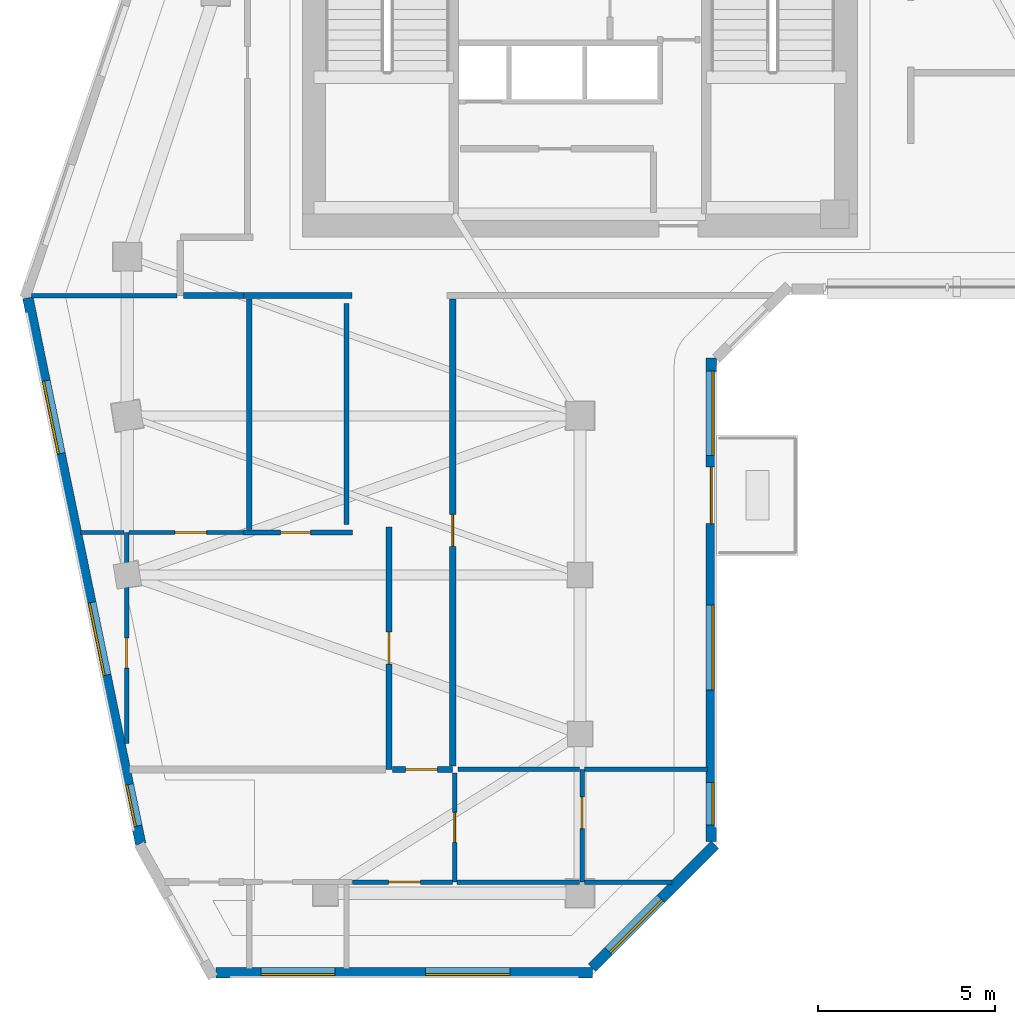
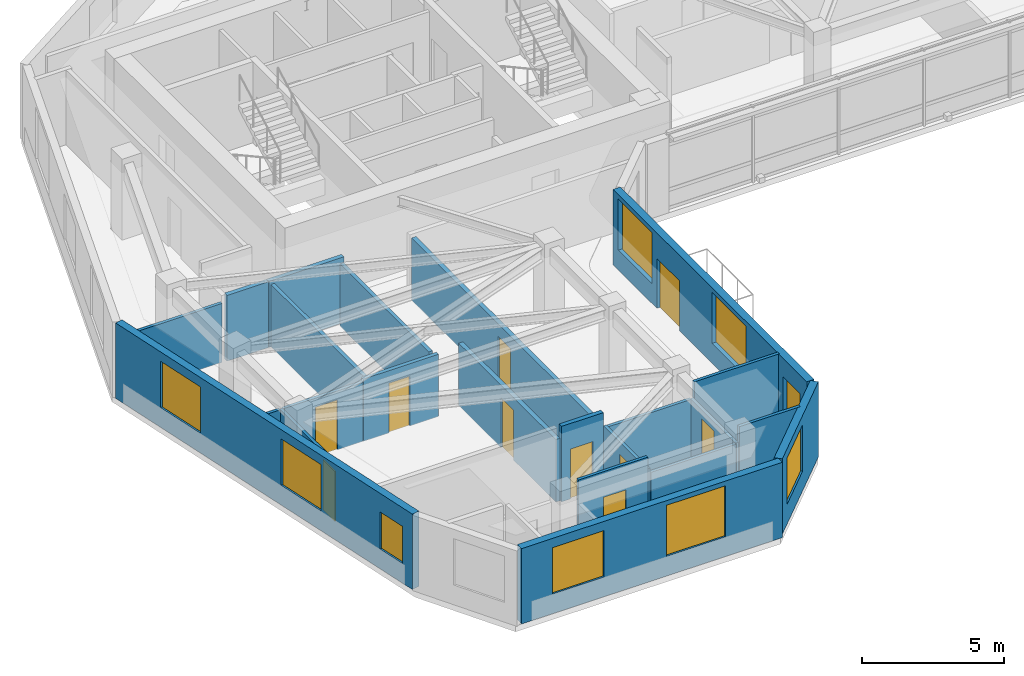
# One storey, part 4 of 10: 23 walls, 10 doors, 9 windows, 19 openings.
"""IFC4 building model written with IfcOpenShell, lengths in metres."""

from ifc_helpers import new_model, si_unit, direction, frame, frame_2d, origin, place, context, subcontext, project, spatial, rectangle, extrude, source, transform, mapped, material, layer, layer_set, type_object, element, fill, save


model = new_model("IFC4")

# Units and contexts
model_context = context("Model", 3, precision=1e-05, world=origin(), true_north=direction((0.0, 1.0)))
body_context = subcontext(model_context, "Body", "Model", "MODEL_VIEW")
ifc_project = project(units=[si_unit("LENGTHUNIT", "METRE"), si_unit("AREAUNIT", "SQUARE_METRE"), si_unit("VOLUMEUNIT", "CUBIC_METRE"), si_unit("PLANEANGLEUNIT", "RADIAN"), si_unit("MASSUNIT", "GRAM", prefix="KILO")], contexts=[model_context])

# Site, building, storey
site_placement = place(None, origin())
site = spatial("IfcSite", under=ifc_project, at=site_placement, CompositionType="ELEMENT")
building_placement = place(site_placement, origin())
building = spatial("IfcBuilding", under=site, at=building_placement, Name="Calvemar Wedge Station Tower", CompositionType="ELEMENT")
storey_placement = place(building_placement, frame((0.0, 0.0, 193.89990234375)))
storey = spatial("IfcBuildingStorey", under=building, at=storey_placement, Name="L48", CompositionType="ELEMENT", Elevation=193.89990234375)

# Walls
ifc_material_1 = material(Name="Double-stud fire-rated corridor partition")
ifc_layer_1 = layer(ifc_material_1, 0.179931640625)
ifc_layer_set_1 = layer_set([ifc_layer_1], Name="Double-stud fire-rated corridor partition")
wall_type_1 = type_object("IfcWallType", Name="W-CORR-180", PredefinedType="PARTITIONING", material=ifc_layer_set_1)
wall_1_placement = place(storey_placement, frame((17.360107421875, 31.89990234375, 0.0), z_axis=(0.0, 0.0, 1.0), x_axis=(-1.0, 0.0, 0.0)))
element("IfcWall", 1, at=wall_1_placement, inside=storey, type_object=wall_type_1, Name="Storey L48 Interior Partition WL-L48-008", PredefinedType="PARTITIONING", context=body_context, shape_type="SweptSolid", body=[
    extrude(rectangle(XDim=3.070068359375, YDim=0.179931640625, at=frame_2d((1.53515625, 0.0))), origin(), (0.0, 0.0, 1.0), 2.835205078125),
])
wall_2_placement = place(storey_placement, frame((14.2880859375, 31.89990234375, 0.0), z_axis=(0.0, 0.0, 1.0), x_axis=(-1.0, 0.0, 0.0)))
element("IfcWall", 2, at=wall_2_placement, inside=storey, type_object=wall_type_1, Name="Storey L48 Interior Partition WL-L48-009", PredefinedType="PARTITIONING", context=body_context, shape_type="SweptSolid", body=[
    extrude(rectangle(XDim=1.694091796875, YDim=0.179931640625, at=frame_2d((0.84716796875, 0.0))), origin(), (0.0, 0.0, 1.0), 2.835205078125),
])

# Wall, opening, door
wall_3_placement = place(storey_placement, frame((18.39990234375, 18.5, 0.0), z_axis=(0.0, 0.0, 1.0), x_axis=(0.0, 1.0, 0.0)))
wall_3 = element("IfcWall", 3, at=wall_3_placement, inside=storey, type_object=wall_type_1, Name="Storey L48 Interior Partition WL-L48-050", PredefinedType="PARTITIONING", context=body_context, shape_type="SweptSolid", body=[
    extrude(rectangle(XDim=6.860107421875, YDim=0.179931640625, at=frame_2d((3.43017578125, 0.0))), origin(), (0.0, 0.0, 1.0), 2.68798828125),
])
shared_shape_1 = source(origin(), body_context, "Body", "SweptSolid", [
    extrude(rectangle(XDim=0.89990234375, YDim=2.14990234375, at=frame_2d((0.449951171875, 1.074951171875))), frame((0.0, 0.10009765625, 0.0), z_axis=(0.0, -1.0, 0.0), x_axis=(1.0, 0.0, 0.0)), (0.0, 0.0, 1.0), 0.199951171875),
])
opening_1_placement = place(wall_3_placement, frame((2.97998046875, 0.0, 0.0)))
opening_1 = element("IfcOpeningElement", 4, at=opening_1_placement, cuts=wall_3, Name="Opening FD-60", PredefinedType="OPENING", context=body_context, shape_type="MappedRepresentation", body=[
    mapped(shared_shape_1, transform((0.0, 0.0, 0.0), scale=1.0)),
])
ifc_material_2 = material(Name="Fire-rated acoustic timber-core entrance door EI 60", Category="wood")
door_type_1 = type_object("IfcDoorType", Name="DR-FD60-900", OperationType="NOTDEFINED", PredefinedType="DOOR", material=ifc_material_2)
shared_shape_2 = source(origin(), body_context, "Body", "SweptSolid", [
    extrude(rectangle(XDim=0.89990234375, YDim=2.14990234375, at=frame_2d((0.449951171875, 1.074951171875))), frame((0.0, 0.02490234375, 0.0), z_axis=(0.0, -1.0, 0.0), x_axis=(1.0, 0.0, 0.0)), (0.0, 0.0, 1.0), 0.050048828125),
])
door_1_placement = place(opening_1_placement, origin())
door_1 = element("IfcDoor", 5, at=door_1_placement, inside=storey, type_object=door_type_1, Name="L48 Living Dining Door", OperationType="SINGLE_SWING_RIGHT", OverallHeight=2.14990234375, OverallWidth=0.89990234375, PredefinedType="DOOR", context=body_context, shape_type="MappedRepresentation", body=[
    mapped(shared_shape_2, transform((0.0, 0.0, 0.0), scale=1.0)),
])
fill(opening_1, door_1)

wall_4_placement = place(storey_placement, frame((20.199951171875, 18.5, 0.0), z_axis=(0.0, 0.0, 1.0), x_axis=(-1.0, 0.0, 0.0)))
wall_4 = element("IfcWall", 6, at=wall_4_placement, inside=storey, type_object=wall_type_1, Name="Storey L48 Interior Partition WL-L48-051", PredefinedType="PARTITIONING", context=body_context, shape_type="SweptSolid", body=[
    extrude(rectangle(XDim=1.7060546875, YDim=0.179931640625, at=frame_2d((0.85302734375, 0.0))), origin(), (0.0, 0.0, 1.0), 3.25),
])
opening_2_placement = place(wall_4_placement, frame((0.43359375, 0.0, 0.0)))
opening_2 = element("IfcOpeningElement", 7, at=opening_2_placement, cuts=wall_4, Name="Opening FD-60", PredefinedType="OPENING", context=body_context, shape_type="MappedRepresentation", body=[
    mapped(shared_shape_1, transform((0.0, 0.0, 0.0), scale=1.0)),
])
door_2_placement = place(opening_2_placement, origin())
door_2 = element("IfcDoor", 8, at=door_2_placement, inside=storey, type_object=door_type_1, Name="L48 Living Dining Door", OperationType="SINGLE_SWING_LEFT", OverallHeight=2.14990234375, OverallWidth=0.89990234375, PredefinedType="DOOR", context=body_context, shape_type="MappedRepresentation", body=[
    mapped(shared_shape_2, transform((0.0, 0.0, 0.0), scale=1.0)),
])
fill(opening_2, door_2)

wall_5_placement = place(storey_placement, frame((20.199951171875, 31.805908203125, 0.0), z_axis=(0.0, 0.0, 1.0), x_axis=(0.0, -1.0, 0.0)))
wall_5 = element("IfcWall", 9, at=wall_5_placement, inside=storey, type_object=wall_type_1, Name="Storey L48 Interior Partition WL-L48-052", PredefinedType="PARTITIONING", context=body_context, shape_type="SweptSolid", body=[
    extrude(rectangle(XDim=13.2119140625, YDim=0.179931640625, at=frame_2d((6.60595703125, 0.0))), origin(), (0.0, 0.0, 1.0), 2.68798828125),
])
opening_3_placement = place(wall_5_placement, frame((6.095458984375, 0.0, 0.0)))
opening_3 = element("IfcOpeningElement", 10, at=opening_3_placement, cuts=wall_5, Name="Opening D-01", PredefinedType="OPENING", context=body_context, shape_type="MappedRepresentation", body=[
    mapped(shared_shape_1, transform((0.0, 0.0, 0.0), scale=1.0)),
])
ifc_material_3 = material(Name="Architectural hardwood acoustic swing door", Category="wood")
door_type_2 = type_object("IfcDoorType", Name="DR-INT-900", OperationType="NOTDEFINED", PredefinedType="DOOR", material=ifc_material_3)
shared_shape_3 = source(origin(), body_context, "Body", "SweptSolid", [
    extrude(rectangle(XDim=0.89990234375, YDim=2.14990234375, at=frame_2d((0.449951171875, 1.074951171875))), frame((0.0, 0.02490234375, 0.0), z_axis=(0.0, -1.0, 0.0), x_axis=(1.0, 0.0, 0.0)), (0.0, 0.0, 1.0), 0.050048828125),
])
door_3_placement = place(opening_3_placement, origin())
door_3 = element("IfcDoor", 11, at=door_3_placement, inside=storey, type_object=door_type_2, Name="L48 Resident Study Lounge Door", OperationType="SINGLE_SWING_RIGHT", OverallHeight=2.14990234375, OverallWidth=0.89990234375, PredefinedType="DOOR", context=body_context, shape_type="MappedRepresentation", body=[
    mapped(shared_shape_3, transform((0.0, 0.0, 0.0), scale=1.0)),
])
fill(opening_3, door_3)

# Wall, openings, windows
ifc_material_4 = material(Name="Precast concrete C45", Category="concrete")
ifc_layer_2 = layer(ifc_material_4, 0.300048828125)
ifc_layer_set_2 = layer_set([ifc_layer_2], Name="Precast concrete C45")
wall_type_2 = type_object("IfcWallType", Name="W-EXT-GFRC-300", PredefinedType="SOLIDWALL", material=ifc_layer_set_2)
wall_6_placement = place(storey_placement, frame((13.510009765625, 12.75, 0.0), z_axis=(0.0, 0.0, 1.0), x_axis=(1.0, 0.0, 0.0)))
wall_6 = element("IfcWall", 12, at=wall_6_placement, inside=storey, type_object=wall_type_2, Name="Storey L48 Bronze GFRC Exterior Wall 2", PredefinedType="SOLIDWALL", context=body_context, shape_type="SweptSolid", body=[
    extrude(rectangle(XDim=10.641845703125, YDim=0.300048828125, at=frame_2d((5.32080078125, 0.0))), origin(), (0.0, 0.0, 1.0), 3.25),
])
shared_shape_4 = source(origin(), body_context, "Body", "SweptSolid", [
    extrude(rectangle(XDim=2.10009765625, YDim=2.0, at=frame_2d((1.050048828125, 1.0))), frame((0.0, 0.16015625, 0.0), z_axis=(0.0, -1.0, 0.0), x_axis=(1.0, 0.0, 0.0)), (0.0, 0.0, 1.0), 0.320068359375),
])
opening_4_placement = place(wall_6_placement, frame((1.264892578125, 0.0, 0.85009765625)))
opening_4 = element("IfcOpeningElement", 13, at=opening_4_placement, cuts=wall_6, Name="Opening W4", PredefinedType="OPENING", context=body_context, shape_type="MappedRepresentation", body=[
    mapped(shared_shape_4, transform((0.0, 0.0, 0.0), scale=1.0)),
])
shared_shape_5 = source(origin(), body_context, "Body", "SweptSolid", [
    extrude(rectangle(XDim=2.39990234375, YDim=2.199951171875, at=frame_2d((1.199951171875, 1.10009765625))), frame((0.0, 0.16015625, 0.0), z_axis=(0.0, -1.0, 0.0), x_axis=(1.0, 0.0, 0.0)), (0.0, 0.0, 1.0), 0.320068359375),
])
opening_5_placement = place(wall_6_placement, frame((5.916015625, 0.0, 0.85009765625)))
opening_5 = element("IfcOpeningElement", 14, at=opening_5_placement, cuts=wall_6, Name="Opening W1", PredefinedType="OPENING", context=body_context, shape_type="MappedRepresentation", body=[
    mapped(shared_shape_5, transform((0.0, 0.0, 0.0), scale=1.0)),
])
ifc_material_5 = material(Name="Low-E laminated insulated glass", Category="glass")
window_type_1 = type_object("IfcWindowType", Name="WIN-EXT-4", PartitioningType="SINGLE_PANEL", PredefinedType="WINDOW", material=ifc_material_5)
shared_shape_6 = source(origin(), body_context, "Body", "SweptSolid", [
    extrude(rectangle(XDim=2.10009765625, YDim=2.0, at=frame_2d((1.050048828125, 1.0))), frame((0.0, -0.014892578125, 0.0), z_axis=(0.0, -1.0, 0.0), x_axis=(1.0, 0.0, 0.0)), (0.0, 0.0, 1.0), 0.06005859375),
])
window_1_placement = place(opening_4_placement, origin())
window_1 = element("IfcWindow", 15, at=window_1_placement, inside=storey, type_object=window_type_1, Name="Storey L48 Recessed Window 2.1", OverallHeight=2.0, OverallWidth=2.10009765625, PartitioningType="SINGLE_PANEL", PredefinedType="WINDOW", context=body_context, shape_type="MappedRepresentation", body=[
    mapped(shared_shape_6, transform((0.0, 0.0, 0.0), scale=1.0)),
])
fill(opening_4, window_1)
window_type_2 = type_object("IfcWindowType", Name="WIN-EXT-1", PartitioningType="SINGLE_PANEL", PredefinedType="WINDOW", material=ifc_material_5)
shared_shape_7 = source(origin(), body_context, "Body", "SweptSolid", [
    extrude(rectangle(XDim=2.39990234375, YDim=2.199951171875, at=frame_2d((1.199951171875, 1.10009765625))), frame((0.0, -0.014892578125, 0.0), z_axis=(0.0, -1.0, 0.0), x_axis=(1.0, 0.0, 0.0)), (0.0, 0.0, 1.0), 0.06005859375),
])
window_2_placement = place(opening_5_placement, origin())
window_2 = element("IfcWindow", 16, at=window_2_placement, inside=storey, type_object=window_type_2, Name="Storey L48 Recessed Window 2.2", OverallHeight=2.199951171875, OverallWidth=2.39990234375, PartitioningType="SINGLE_PANEL", PredefinedType="WINDOW", context=body_context, shape_type="MappedRepresentation", body=[
    mapped(shared_shape_7, transform((0.0, 0.0, 0.0), scale=1.0)),
])
fill(opening_5, window_2)

# Wall, opening, window
wall_7_placement = place(storey_placement, frame((24.139892578125, 12.887939453125, 0.0), z_axis=(0.0, 0.0, 1.0), x_axis=(0.707106781187, 0.707106781187, 0.0)))
wall_7 = element("IfcWall", 17, at=wall_7_placement, inside=storey, type_object=wall_type_2, Name="Storey L48 Bronze GFRC Exterior Wall 3", PredefinedType="SOLIDWALL", context=body_context, shape_type="SweptSolid", body=[
    extrude(rectangle(XDim=4.921875, YDim=0.300048828125, at=frame_2d((2.4609375, 0.0))), origin(), (0.0, 0.0, 1.0), 3.25),
])
opening_6_placement = place(wall_7_placement, frame((0.658935546875, 0.0, 0.85009765625)))
opening_6 = element("IfcOpeningElement", 18, at=opening_6_placement, cuts=wall_7, Name="Opening W4", PredefinedType="OPENING", context=body_context, shape_type="MappedRepresentation", body=[
    mapped(shared_shape_4, transform((0.0, 0.0, 0.0), scale=1.0)),
])
window_3_placement = place(opening_6_placement, origin())
window_3 = element("IfcWindow", 19, at=window_3_placement, inside=storey, type_object=window_type_1, Name="Storey L48 Recessed Window 3.1", OverallHeight=2.0, OverallWidth=2.10009765625, PartitioningType="SINGLE_PANEL", PredefinedType="WINDOW", context=body_context, shape_type="MappedRepresentation", body=[
    mapped(shared_shape_6, transform((0.0, 0.0, 0.0), scale=1.0)),
])
fill(opening_6, window_3)

# Wall, openings, windows, door
wall_8_placement = place(storey_placement, frame((27.513916015625, 16.457275390625, 0.0), z_axis=(0.0, 0.0, 1.0), x_axis=(0.0, 1.0, 0.0)))
wall_8 = element("IfcWall", 20, at=wall_8_placement, inside=storey, type_object=wall_type_2, Name="Storey L48 Bronze GFRC Exterior Wall 4", PredefinedType="SOLIDWALL", context=body_context, shape_type="SweptSolid", body=[
    extrude(rectangle(XDim=13.6787109375, YDim=0.300048828125, at=frame_2d((6.83935546875, 0.0))), origin(), (0.0, 0.0, 1.0), 3.25),
])
shared_shape_8 = source(origin(), body_context, "Body", "SweptSolid", [
    extrude(rectangle(XDim=1.60009765625, YDim=2.14990234375, at=frame_2d((0.800048828125, 1.074951171875))), frame((0.0, 0.16015625, 0.0), z_axis=(0.0, -1.0, 0.0), x_axis=(1.0, 0.0, 0.0)), (0.0, 0.0, 1.0), 0.320068359375),
])
opening_7_placement = place(wall_8_placement, frame((8.992919921875, 0.0, 0.0)))
opening_7 = element("IfcOpeningElement", 21, at=opening_7_placement, cuts=wall_8, Name="Opening DT1", PredefinedType="OPENING", context=body_context, shape_type="MappedRepresentation", body=[
    mapped(shared_shape_8, transform((0.0, 0.0, 0.0), scale=1.0)),
])
shared_shape_9 = source(origin(), body_context, "Body", "SweptSolid", [
    extrude(rectangle(XDim=1.199951171875, YDim=1.60009765625, at=frame_2d((0.60009765625, 0.800048828125))), frame((0.0, 0.16015625, 0.0), z_axis=(0.0, -1.0, 0.0), x_axis=(1.0, 0.0, 0.0)), (0.0, 0.0, 1.0), 0.320068359375),
])
opening_8_placement = place(wall_8_placement, frame((0.470947265625, 0.0, 0.85009765625)))
opening_8 = element("IfcOpeningElement", 22, at=opening_8_placement, cuts=wall_8, Name="Opening W5", PredefinedType="OPENING", context=body_context, shape_type="MappedRepresentation", body=[
    mapped(shared_shape_9, transform((0.0, 0.0, 0.0), scale=1.0)),
])
opening_9_placement = place(wall_8_placement, frame((4.2880859375, 0.0, 0.85009765625)))
opening_9 = element("IfcOpeningElement", 23, at=opening_9_placement, cuts=wall_8, Name="Opening W1", PredefinedType="OPENING", context=body_context, shape_type="MappedRepresentation", body=[
    mapped(shared_shape_5, transform((0.0, 0.0, 0.0), scale=1.0)),
])
opening_10_placement = place(wall_8_placement, frame((10.916015625, 0.0, 0.85009765625)))
opening_10 = element("IfcOpeningElement", 24, at=opening_10_placement, cuts=wall_8, Name="Opening W1", PredefinedType="OPENING", context=body_context, shape_type="MappedRepresentation", body=[
    mapped(shared_shape_5, transform((0.0, 0.0, 0.0), scale=1.0)),
])
window_4_placement = place(opening_9_placement, origin())
window_4 = element("IfcWindow", 25, at=window_4_placement, inside=storey, type_object=window_type_2, Name="Storey L48 Recessed Window 4.2", OverallHeight=2.199951171875, OverallWidth=2.39990234375, PartitioningType="SINGLE_PANEL", PredefinedType="WINDOW", context=body_context, shape_type="MappedRepresentation", body=[
    mapped(shared_shape_7, transform((0.0, 0.0, 0.0), scale=1.0)),
])
fill(opening_9, window_4)
window_5_placement = place(opening_10_placement, origin())
window_5 = element("IfcWindow", 26, at=window_5_placement, inside=storey, type_object=window_type_2, Name="Storey L48 Recessed Window 4.3", OverallHeight=2.199951171875, OverallWidth=2.39990234375, PartitioningType="SINGLE_PANEL", PredefinedType="WINDOW", context=body_context, shape_type="MappedRepresentation", body=[
    mapped(shared_shape_7, transform((0.0, 0.0, 0.0), scale=1.0)),
])
fill(opening_10, window_5)
ifc_material_6 = material(Name="Anodised aluminium 6063-T6", Category="aluminium")
door_type_3 = type_object("IfcDoorType", Name="DR-TERR-1600", OperationType="DOUBLE_DOOR_SLIDING", PredefinedType="DOOR", material=ifc_material_6)
shared_shape_10 = source(origin(), body_context, "Body", "SweptSolid", [
    extrude(rectangle(XDim=1.60009765625, YDim=2.14990234375, at=frame_2d((0.800048828125, 1.074951171875))), frame((0.0, 0.02490234375, 0.0), z_axis=(0.0, -1.0, 0.0), x_axis=(1.0, 0.0, 0.0)), (0.0, 0.0, 1.0), 0.050048828125),
])
door_4_placement = place(opening_7_placement, origin())
door_4 = element("IfcDoor", 27, at=door_4_placement, inside=storey, type_object=door_type_3, Name="Storey L48 Spiral Terrace Door", OperationType="DOUBLE_DOOR_SLIDING", OverallHeight=2.14990234375, OverallWidth=1.60009765625, PredefinedType="DOOR", context=body_context, shape_type="MappedRepresentation", body=[
    mapped(shared_shape_10, transform((0.0, 0.0, 0.0), scale=1.0)),
])
fill(opening_7, door_4)
window_type_3 = type_object("IfcWindowType", Name="WIN-EXT-5", PartitioningType="SINGLE_PANEL", PredefinedType="WINDOW", material=ifc_material_5)
shared_shape_11 = source(origin(), body_context, "Body", "SweptSolid", [
    extrude(rectangle(XDim=1.199951171875, YDim=1.60009765625, at=frame_2d((0.60009765625, 0.800048828125))), frame((0.0, -0.014892578125, 0.0), z_axis=(0.0, -1.0, 0.0), x_axis=(1.0, 0.0, 0.0)), (0.0, 0.0, 1.0), 0.06005859375),
])
window_6_placement = place(opening_8_placement, origin())
window_6 = element("IfcWindow", 28, at=window_6_placement, inside=storey, type_object=window_type_3, Name="Storey L48 Recessed Window 4.1", OverallHeight=1.60009765625, OverallWidth=1.199951171875, PartitioningType="SINGLE_PANEL", PredefinedType="WINDOW", context=body_context, shape_type="MappedRepresentation", body=[
    mapped(shared_shape_11, transform((0.0, 0.0, 0.0), scale=1.0)),
])
fill(opening_8, window_6)

# Wall, openings, windows
wall_9_placement = place(storey_placement, frame((8.1875, 31.833984375, 0.0), z_axis=(0.0, 0.0, 1.0), x_axis=(0.202303475707, -0.979322880217, 0.0)))
wall_9 = element("IfcWall", 29, at=wall_9_placement, inside=storey, type_object=wall_type_2, Name="Storey L48 Bronze GFRC Exterior Wall 13", PredefinedType="SOLIDWALL", context=body_context, shape_type="SweptSolid", body=[
    extrude(rectangle(XDim=15.765625, YDim=0.300048828125, at=frame_2d((7.8828125, 0.0))), origin(), (0.0, 0.0, 1.0), 3.25),
])
opening_11_placement = place(wall_9_placement, frame((2.39892578125, 0.0, 0.85009765625)))
opening_11 = element("IfcOpeningElement", 30, at=opening_11_placement, cuts=wall_9, Name="Opening W4", PredefinedType="OPENING", context=body_context, shape_type="MappedRepresentation", body=[
    mapped(shared_shape_4, transform((0.0, 0.0, 0.0), scale=1.0)),
])
opening_12_placement = place(wall_9_placement, frame((8.798095703125, 0.0, 0.85009765625)))
opening_12 = element("IfcOpeningElement", 31, at=opening_12_placement, cuts=wall_9, Name="Opening W4", PredefinedType="OPENING", context=body_context, shape_type="MappedRepresentation", body=[
    mapped(shared_shape_4, transform((0.0, 0.0, 0.0), scale=1.0)),
])
opening_13_placement = place(wall_9_placement, frame((14.052001953125, 0.0, 0.85009765625)))
opening_13 = element("IfcOpeningElement", 32, at=opening_13_placement, cuts=wall_9, Name="Opening W5", PredefinedType="OPENING", context=body_context, shape_type="MappedRepresentation", body=[
    mapped(shared_shape_9, transform((0.0, 0.0, 0.0), scale=1.0)),
])
window_7_placement = place(opening_11_placement, origin())
window_7 = element("IfcWindow", 33, at=window_7_placement, inside=storey, type_object=window_type_1, Name="Storey L48 Recessed Window 13.1", OverallHeight=2.0, OverallWidth=2.10009765625, PartitioningType="SINGLE_PANEL", PredefinedType="WINDOW", context=body_context, shape_type="MappedRepresentation", body=[
    mapped(shared_shape_6, transform((0.0, 0.0, 0.0), scale=1.0)),
])
fill(opening_11, window_7)
window_8_placement = place(opening_12_placement, origin())
window_8 = element("IfcWindow", 34, at=window_8_placement, inside=storey, type_object=window_type_1, Name="Storey L48 Recessed Window 13.2", OverallHeight=2.0, OverallWidth=2.10009765625, PartitioningType="SINGLE_PANEL", PredefinedType="WINDOW", context=body_context, shape_type="MappedRepresentation", body=[
    mapped(shared_shape_6, transform((0.0, 0.0, 0.0), scale=1.0)),
])
fill(opening_12, window_8)
window_9_placement = place(opening_13_placement, origin())
window_9 = element("IfcWindow", 35, at=window_9_placement, inside=storey, type_object=window_type_3, Name="Storey L48 Recessed Window 13.3", OverallHeight=1.60009765625, OverallWidth=1.199951171875, PartitioningType="SINGLE_PANEL", PredefinedType="WINDOW", context=body_context, shape_type="MappedRepresentation", body=[
    mapped(shared_shape_11, transform((0.0, 0.0, 0.0), scale=1.0)),
])
fill(opening_13, window_9)

# Wall
ifc_material_7 = material(Name="Insulated acoustic gypsum stud partition")
ifc_layer_3 = layer(ifc_material_7, 0.125)
ifc_layer_set_3 = layer_set([ifc_layer_3], Name="Insulated acoustic gypsum stud partition")
wall_type_3 = type_object("IfcWallType", Name="W-PART-125", PredefinedType="PARTITIONING", material=ifc_layer_set_3)
wall_10_placement = place(storey_placement, frame((12.406005859375, 31.89990234375, 0.0), z_axis=(0.0, 0.0, 1.0), x_axis=(-1.0, 0.0, 0.0)))
element("IfcWall", 36, at=wall_10_placement, inside=storey, type_object=wall_type_3, Name="Storey L48 Interior Partition WL-L48-020", PredefinedType="PARTITIONING", context=body_context, shape_type="SweptSolid", body=[
    extrude(rectangle(XDim=4.11474609375, YDim=0.125, at=frame_2d((2.057373046875, 0.0))), origin(), (0.0, 0.0, 1.0), 2.5419921875),
])

# Wall, opening, door
wall_11_placement = place(storey_placement, frame((10.97802734375, 19.240234375, 0.0), z_axis=(0.0, 0.0, 1.0), x_axis=(0.0, 1.0, 0.0)))
wall_11 = element("IfcWall", 37, at=wall_11_placement, inside=storey, type_object=wall_type_3, Name="Storey L48 Interior Partition WL-L48-053", PredefinedType="PARTITIONING", context=body_context, shape_type="SweptSolid", body=[
    extrude(rectangle(XDim=5.959716796875, YDim=0.125, at=frame_2d((2.97998046875, 0.0))), origin(), (0.0, 0.0, 1.0), 2.5419921875),
])
shared_shape_12 = source(origin(), body_context, "Body", "SweptSolid", [
    extrude(rectangle(XDim=0.85009765625, YDim=2.14990234375, at=frame_2d((0.425048828125, 1.074951171875))), frame((0.0, 0.072509765625, 0.0), z_axis=(0.0, -1.0, 0.0), x_axis=(1.0, 0.0, 0.0)), (0.0, 0.0, 1.0), 0.14501953125),
])
opening_14_placement = place(wall_11_placement, frame((2.12451171875, 0.0, 0.0)))
opening_14 = element("IfcOpeningElement", 38, at=opening_14_placement, cuts=wall_11, Name="Opening D-02", PredefinedType="OPENING", context=body_context, shape_type="MappedRepresentation", body=[
    mapped(shared_shape_12, transform((0.0, 0.0, 0.0), scale=1.0)),
])
ifc_material_8 = material(Name="Moisture-sealed bathroom hardwood swing door", Category="wood")
door_type_4 = type_object("IfcDoorType", Name="DR-WET-850", OperationType="NOTDEFINED", PredefinedType="DOOR", material=ifc_material_8)
shared_shape_13 = source(origin(), body_context, "Body", "SweptSolid", [
    extrude(rectangle(XDim=0.85009765625, YDim=2.14990234375, at=frame_2d((0.425048828125, 1.074951171875))), frame((0.0, 0.02490234375, 0.0), z_axis=(0.0, -1.0, 0.0), x_axis=(1.0, 0.0, 0.0)), (0.0, 0.0, 1.0), 0.050048828125),
])
door_5_placement = place(opening_14_placement, origin())
door_5 = element("IfcDoor", 39, at=door_5_placement, inside=storey, type_object=door_type_4, Name="L48 Kitchen Door", OperationType="SINGLE_SWING_LEFT", OverallHeight=2.14990234375, OverallWidth=0.85009765625, PredefinedType="DOOR", context=body_context, shape_type="MappedRepresentation", body=[
    mapped(shared_shape_13, transform((0.0, 0.0, 0.0), scale=1.0)),
])
fill(opening_14, door_5)

wall_12_placement = place(storey_placement, frame((11.04443359375, 25.199951171875, 0.0), z_axis=(0.0, 0.0, 1.0), x_axis=(1.0, 0.0, 0.0)))
wall_12 = element("IfcWall", 40, at=wall_12_placement, inside=storey, type_object=wall_type_3, Name="Storey L48 Interior Partition WL-L48-055", PredefinedType="PARTITIONING", context=body_context, shape_type="SweptSolid", body=[
    extrude(rectangle(XDim=3.24365234375, YDim=0.125, at=frame_2d((1.621826171875, 0.0))), origin(), (0.0, 0.0, 1.0), 2.5419921875),
])
shared_shape_14 = source(origin(), body_context, "Body", "SweptSolid", [
    extrude(rectangle(XDim=0.89990234375, YDim=2.14990234375, at=frame_2d((0.449951171875, 1.074951171875))), frame((0.0, 0.072509765625, 0.0), z_axis=(0.0, -1.0, 0.0), x_axis=(1.0, 0.0, 0.0)), (0.0, 0.0, 1.0), 0.14501953125),
])
opening_15_placement = place(wall_12_placement, frame((1.299072265625, 0.0, 0.0)))
opening_15 = element("IfcOpeningElement", 41, at=opening_15_placement, cuts=wall_12, Name="Opening D-01", PredefinedType="OPENING", context=body_context, shape_type="MappedRepresentation", body=[
    mapped(shared_shape_14, transform((0.0, 0.0, 0.0), scale=1.0)),
])
door_6_placement = place(opening_15_placement, origin())
door_6 = element("IfcDoor", 42, at=door_6_placement, inside=storey, type_object=door_type_2, Name="L48 Master Bedroom Door", OperationType="SINGLE_SWING_LEFT", OverallHeight=2.14990234375, OverallWidth=0.89990234375, PredefinedType="DOOR", context=body_context, shape_type="MappedRepresentation", body=[
    mapped(shared_shape_3, transform((0.0, 0.0, 0.0), scale=1.0)),
])
fill(opening_15, door_6)

# Wall
wall_13_placement = place(storey_placement, frame((9.67529296875, 25.199951171875, 0.0), z_axis=(0.0, 0.0, 1.0), x_axis=(1.0, 0.0, 0.0)))
element("IfcWall", 43, at=wall_13_placement, inside=storey, type_object=wall_type_3, Name="Storey L48 Interior Partition WL-L48-057", PredefinedType="PARTITIONING", context=body_context, shape_type="SweptSolid", body=[
    extrude(rectangle(XDim=1.236328125, YDim=0.125, at=frame_2d((0.6181640625, 0.0))), origin(), (0.0, 0.0, 1.0), 2.5419921875),
])

# Wall, opening, door
wall_14_placement = place(storey_placement, frame((23.85888671875, 15.31494140625, 0.0), z_axis=(0.0, 0.0, 1.0), x_axis=(0.0, 1.0, 0.0)))
wall_14 = element("IfcWall", 44, at=wall_14_placement, inside=storey, type_object=wall_type_3, Name="Storey L48 Interior Partition WL-L48-059", PredefinedType="PARTITIONING", context=body_context, shape_type="SweptSolid", body=[
    extrude(rectangle(XDim=3.18505859375, YDim=0.125, at=frame_2d((1.592529296875, 0.0))), origin(), (0.0, 0.0, 1.0), 2.5419921875),
])
opening_16_placement = place(wall_14_placement, frame((1.51220703125, 0.0, 0.0)))
opening_16 = element("IfcOpeningElement", 45, at=opening_16_placement, cuts=wall_14, Name="Opening D-01", PredefinedType="OPENING", context=body_context, shape_type="MappedRepresentation", body=[
    mapped(shared_shape_14, transform((0.0, 0.0, 0.0), scale=1.0)),
])
door_7_placement = place(opening_16_placement, origin())
door_7 = element("IfcDoor", 46, at=door_7_placement, inside=storey, type_object=door_type_2, Name="L48 Study Door", OperationType="SINGLE_SWING_RIGHT", OverallHeight=2.14990234375, OverallWidth=0.89990234375, PredefinedType="DOOR", context=body_context, shape_type="MappedRepresentation", body=[
    mapped(shared_shape_3, transform((0.0, 0.0, 0.0), scale=1.0)),
])
fill(opening_16, door_7)

# Walls
wall_15_placement = place(storey_placement, frame((26.404296875, 15.31494140625, 0.0), z_axis=(0.0, 0.0, 1.0), x_axis=(-1.0, 0.0, 0.0)))
element("IfcWall", 47, at=wall_15_placement, inside=storey, type_object=wall_type_3, Name="Storey L48 Interior Partition WL-L48-060", PredefinedType="PARTITIONING", context=body_context, shape_type="SweptSolid", body=[
    extrude(rectangle(XDim=2.478759765625, YDim=0.125, at=frame_2d((1.2392578125, 0.0))), origin(), (0.0, 0.0, 1.0), 3.25),
])
wall_16_placement = place(storey_placement, frame((23.925537109375, 18.5, 0.0), z_axis=(0.0, 0.0, 1.0), x_axis=(1.0, 0.0, 0.0)))
element("IfcWall", 48, at=wall_16_placement, inside=storey, type_object=wall_type_3, Name="Storey L48 Interior Partition WL-L48-061", PredefinedType="PARTITIONING", context=body_context, shape_type="SweptSolid", body=[
    extrude(rectangle(XDim=3.473388671875, YDim=0.125, at=frame_2d((1.73681640625, 0.0))), origin(), (0.0, 0.0, 1.0), 3.25),
])

# Wall, opening, door
wall_17_placement = place(storey_placement, frame((20.259033203125, 18.406005859375, 0.0), z_axis=(0.0, 0.0, 1.0), x_axis=(0.0, -1.0, 0.0)))
wall_17 = element("IfcWall", 49, at=wall_17_placement, inside=storey, type_object=wall_type_3, Name="Storey L48 Interior Partition WL-L48-062", PredefinedType="PARTITIONING", context=body_context, shape_type="SweptSolid", body=[
    extrude(rectangle(XDim=3.091064453125, YDim=0.125, at=frame_2d((1.54541015625, 0.0))), origin(), (0.0, 0.0, 1.0), 2.68798828125),
])
opening_17_placement = place(wall_17_placement, frame((1.12060546875, 0.0, 0.0)))
opening_17 = element("IfcOpeningElement", 50, at=opening_17_placement, cuts=wall_17, Name="Opening D-02", PredefinedType="OPENING", context=body_context, shape_type="MappedRepresentation", body=[
    mapped(shared_shape_12, transform((0.0, 0.0, 0.0), scale=1.0)),
])
door_8_placement = place(opening_17_placement, origin())
door_8 = element("IfcDoor", 51, at=door_8_placement, inside=storey, type_object=door_type_4, Name="L48 Kitchen Door", OperationType="SINGLE_SWING_RIGHT", OverallHeight=2.14990234375, OverallWidth=0.85009765625, PredefinedType="DOOR", context=body_context, shape_type="MappedRepresentation", body=[
    mapped(shared_shape_13, transform((0.0, 0.0, 0.0), scale=1.0)),
])
fill(opening_17, door_8)

wall_18_placement = place(storey_placement, frame((20.1923828125, 15.31494140625, 0.0), z_axis=(0.0, 0.0, 1.0), x_axis=(-1.0, 0.0, 0.0)))
wall_18 = element("IfcWall", 52, at=wall_18_placement, inside=storey, type_object=wall_type_3, Name="Storey L48 Interior Partition WL-L48-065", PredefinedType="PARTITIONING", context=body_context, shape_type="SweptSolid", body=[
    extrude(rectangle(XDim=2.830322265625, YDim=0.125, at=frame_2d((1.4150390625, 0.0))), origin(), (0.0, 0.0, 1.0), 3.25),
])
opening_18_placement = place(wall_18_placement, frame((0.903076171875, 0.0, 0.0)))
opening_18 = element("IfcOpeningElement", 53, at=opening_18_placement, cuts=wall_18, Name="Opening D-01", PredefinedType="OPENING", context=body_context, shape_type="MappedRepresentation", body=[
    mapped(shared_shape_14, transform((0.0, 0.0, 0.0), scale=1.0)),
])
door_9_placement = place(opening_18_placement, origin())
door_9 = element("IfcDoor", 54, at=door_9_placement, inside=storey, type_object=door_type_2, Name="L48 Master Bedroom Door", OperationType="SINGLE_SWING_LEFT", OverallHeight=2.14990234375, OverallWidth=0.89990234375, PredefinedType="DOOR", context=body_context, shape_type="MappedRepresentation", body=[
    mapped(shared_shape_3, transform((0.0, 0.0, 0.0), scale=1.0)),
])
fill(opening_18, door_9)

# Walls
wall_19_placement = place(storey_placement, frame((23.79248046875, 15.31494140625, 0.0), z_axis=(0.0, 0.0, 1.0), x_axis=(-1.0, 0.0, 0.0)))
element("IfcWall", 55, at=wall_19_placement, inside=storey, type_object=wall_type_3, Name="Storey L48 Interior Partition WL-L48-066", PredefinedType="PARTITIONING", context=body_context, shape_type="SweptSolid", body=[
    extrude(rectangle(XDim=3.467041015625, YDim=0.125, at=frame_2d((1.7333984375, 0.0))), origin(), (0.0, 0.0, 1.0), 2.5419921875),
])
wall_20_placement = place(storey_placement, frame((20.35302734375, 18.5, 0.0), z_axis=(0.0, 0.0, 1.0), x_axis=(1.0, 0.0, 0.0)))
element("IfcWall", 56, at=wall_20_placement, inside=storey, type_object=wall_type_3, Name="Storey L48 Interior Partition WL-L48-067", PredefinedType="PARTITIONING", context=body_context, shape_type="SweptSolid", body=[
    extrude(rectangle(XDim=3.439453125, YDim=0.125, at=frame_2d((1.7197265625, 0.0))), origin(), (0.0, 0.0, 1.0), 2.5419921875),
])

# Wall, opening, door
ifc_material_9 = material(Name="Moisture-resistant acoustic bathroom partition")
ifc_layer_4 = layer(ifc_material_9, 0.14990234375)
ifc_layer_set_4 = layer_set([ifc_layer_4], Name="Moisture-resistant acoustic bathroom partition")
wall_type_4 = type_object("IfcWallType", Name="W-WET-150", PredefinedType="PARTITIONING", material=ifc_layer_set_4)
wall_21_placement = place(storey_placement, frame((14.2900390625, 25.199951171875, 0.0), z_axis=(0.0, 0.0, 1.0), x_axis=(1.0, 0.0, 0.0)))
wall_21 = element("IfcWall", 57, at=wall_21_placement, inside=storey, type_object=wall_type_4, Name="Storey L48 Interior Partition WL-L48-054", PredefinedType="PARTITIONING", context=body_context, shape_type="SweptSolid", body=[
    extrude(rectangle(XDim=3.070068359375, YDim=0.14990234375, at=frame_2d((1.53515625, 0.0))), origin(), (0.0, 0.0, 1.0), 2.68798828125),
])
shared_shape_15 = source(origin(), body_context, "Body", "SweptSolid", [
    extrude(rectangle(XDim=0.85009765625, YDim=2.14990234375, at=frame_2d((0.425048828125, 1.074951171875))), frame((0.0, 0.0849609375, 0.0), z_axis=(0.0, -1.0, 0.0), x_axis=(1.0, 0.0, 0.0)), (0.0, 0.0, 1.0), 0.169921875),
])
opening_19_placement = place(wall_21_placement, frame((1.046142578125, 0.0, 0.0)))
opening_19 = element("IfcOpeningElement", 58, at=opening_19_placement, cuts=wall_21, Name="Opening D-02", PredefinedType="OPENING", context=body_context, shape_type="MappedRepresentation", body=[
    mapped(shared_shape_15, transform((0.0, 0.0, 0.0), scale=1.0)),
])
door_10_placement = place(opening_19_placement, origin())
door_10 = element("IfcDoor", 59, at=door_10_placement, inside=storey, type_object=door_type_4, Name="L48 Bathroom Door", OperationType="SINGLE_SWING_RIGHT", OverallHeight=2.14990234375, OverallWidth=0.85009765625, PredefinedType="DOOR", context=body_context, shape_type="MappedRepresentation", body=[
    mapped(shared_shape_13, transform((0.0, 0.0, 0.0), scale=1.0)),
])
fill(opening_19, door_10)

# Walls
wall_22_placement = place(storey_placement, frame((14.449951171875, 25.279052734375, 0.0), z_axis=(0.0, 0.0, 1.0), x_axis=(0.0, 1.0, 0.0)))
element("IfcWall", 60, at=wall_22_placement, inside=storey, type_object=wall_type_4, Name="Storey L48 Interior Partition WL-L48-058", PredefinedType="PARTITIONING", context=body_context, shape_type="SweptSolid", body=[
    extrude(rectangle(XDim=6.52685546875, YDim=0.14990234375, at=frame_2d((3.263427734375, 0.0))), origin(), (0.0, 0.0, 1.0), 2.68798828125),
])
wall_23_placement = place(storey_placement, frame((17.199951171875, 31.679931640625, 0.0), z_axis=(0.0, 0.0, 1.0), x_axis=(0.0, -1.0, 0.0)))
element("IfcWall", 61, at=wall_23_placement, inside=storey, type_object=wall_type_4, Name="Storey L48 Bathroom Enclosure Wall WL-L48-070", PredefinedType="PARTITIONING", context=body_context, shape_type="SweptSolid", body=[
    extrude(rectangle(XDim=6.260009765625, YDim=0.14990234375, at=frame_2d((3.1298828125, 0.0))), origin(), (0.0, 0.0, 1.0), 2.68798828125),
])

save(model, "model.ifc")
